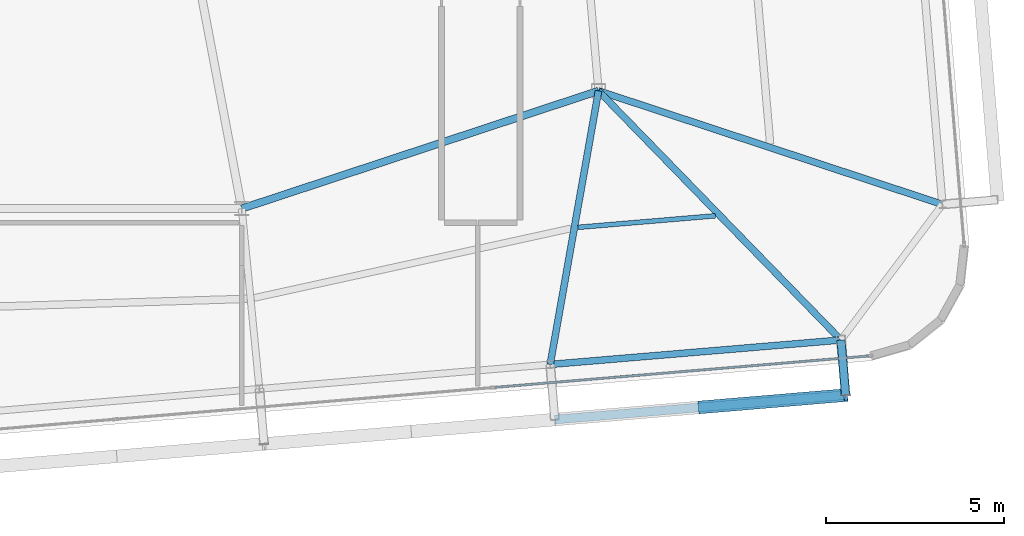
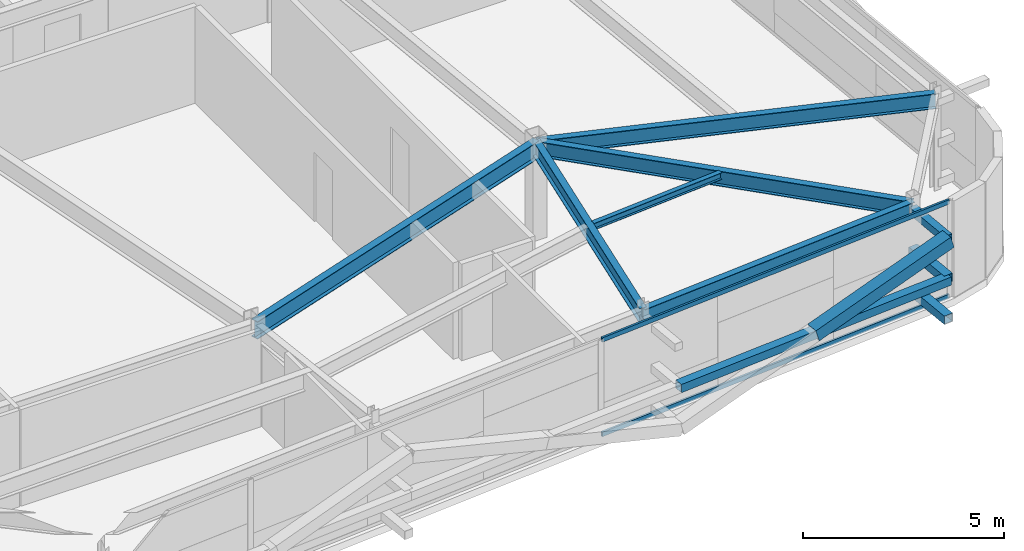
# One storey, part 17 of 39: 7 members, 6 beams, 1 element without a shape of its own.
"""IFC4 building model written with IfcOpenShell, lengths in metres."""

from ifc_helpers import new_model, si_unit, direction, frame, origin, origin_2d, place, context, subcontext, project, spatial, hollow_rectangle, i_section, extrude, source, transform, mapped, material, layer, layer_set, material_profile, profile_set, type_object, element, aggregate, save


model = new_model("IFC4")

# Units and contexts
model_context = context("Model", 3, precision=1e-05, world=origin(), true_north=direction((0.0, 1.0)))
body_context = subcontext(model_context, "Body", "Model", "MODEL_VIEW")
ifc_project = project(units=[si_unit("LENGTHUNIT", "METRE"), si_unit("AREAUNIT", "SQUARE_METRE"), si_unit("VOLUMEUNIT", "CUBIC_METRE"), si_unit("PLANEANGLEUNIT", "RADIAN"), si_unit("MASSUNIT", "GRAM", prefix="KILO")], contexts=[model_context])

# Site, building, storey
site_placement = place(None, origin())
site = spatial("IfcSite", under=ifc_project, at=site_placement, CompositionType="ELEMENT")
building_placement = place(site_placement, origin())
building = spatial("IfcBuilding", under=site, at=building_placement, Name="Taldren Reach Tower", CompositionType="ELEMENT")
storey_placement = place(building_placement, frame((0.0, 0.0, 197.75)))
storey = spatial("IfcBuildingStorey", under=building, at=storey_placement, Name="L60", CompositionType="ELEMENT", Elevation=197.75)

# Beam
ifc_material_1 = material(Name="Steel Gr 350 (350PLUS)", Category="steel")
ifc_material_profile_1 = material_profile(ifc_material_1, i_section(OverallWidth=0.208984375, OverallDepth=0.532958984375, WebThickness=0.01025390625, FlangeThickness=0.015625, at=origin_2d()), Name="530UB92.4")
ifc_profile_set_1 = profile_set([ifc_material_profile_1], Name="Steel Gr 350 (350PLUS)")
beam_type_1 = type_object("IfcBeamType", Name="BM-UB530A", PredefinedType="BEAM", material=ifc_profile_set_1)
shared_shape_1 = source(origin(), body_context, "Body", "SweptSolid", [
    extrude(i_section(OverallWidth=0.208984375, OverallDepth=0.532958984375, WebThickness=0.01025390625, FlangeThickness=0.015625, at=origin_2d()), origin(), (0.0, 0.0, 1.0), 10.530517578125),
])
beam_1_placement = place(storey_placement, frame((42.0, 9.199951171875, 2.66357421875), z_axis=(0.949627269203, 0.313381635689, 0.0), x_axis=(-0.313381635689, 0.949627269203, 0.0)))
element("IfcBeam", 1, at=beam_1_placement, inside=storey, type_object=beam_type_1, Name="Core-spine girder L60-SP12", PredefinedType="BEAM", context=body_context, shape_type="MappedRepresentation", body=[
    mapped(shared_shape_1, transform((0.0, 0.0, 0.0), scale=1.0)),
])

# Members
ifc_material_2 = material(Name="Steel Gr 350 (C350L0)", Category="steel")
ifc_material_profile_2 = material_profile(ifc_material_2, hollow_rectangle(XDim=0.25, YDim=0.25, WallThickness=0.010009765625, at=origin_2d()), Name="250x250x10.0SHS")
ifc_profile_set_2 = profile_set([ifc_material_profile_2], Name="Steel Gr 350 (C350L0)")
member_type_1 = type_object("IfcMemberType", Name="MB-POST250", PredefinedType="POST", material=ifc_profile_set_2)
shared_shape_2 = source(origin(), body_context, "Body", "SweptSolid", [
    extrude(hollow_rectangle(XDim=0.25, YDim=0.25, WallThickness=0.010009765625, at=origin_2d()), origin(), (0.0, 0.0, 1.0), 1.5498046875),
])
for number, where, z_axis, x_axis, name in (
    (2, (58.796142578125, 5.516357421875, 0.219970703125), (0.083801560254, -0.996482462715, 0.0), (0.996482462715, 0.083801560254, 0.0), "Exoskeleton base diaphragm tie strut B4-S6 L60"),
    (3, (58.796142578125, 5.516357421875, 1.43505859375), (0.083801560254, -0.996482462715, 0.0), (0.996482462715, 0.083801560254, 0.0), "Exoskeleton mid-tier diaphragm tie B4-S6 L60"),
):
    element("IfcMember", number, at=place(storey_placement, frame(where, z_axis=z_axis, x_axis=x_axis)), inside=storey, type_object=member_type_1, Name=name, PredefinedType="POST", context=body_context, shape_type="MappedRepresentation", body=[
        mapped(shared_shape_2, transform((0.0, 0.0, 0.0), scale=1.0)),
    ])

# Beams
ifc_material_profile_3 = material_profile(ifc_material_1, i_section(OverallWidth=0.18994140625, OverallDepth=0.4541015625, WebThickness=0.008544921875, FlangeThickness=0.0126953125, at=origin_2d()), Name="460UB67.1")
ifc_profile_set_3 = profile_set([ifc_material_profile_3], Name="Steel Gr 350 (350PLUS)")
beam_type_2 = type_object("IfcBeamType", Name="SP-UB460B", PredefinedType="SPANDREL", material=ifc_profile_set_3)
shared_shape_3 = source(origin(), body_context, "Body", "SweptSolid", [
    extrude(i_section(OverallWidth=0.18994140625, OverallDepth=0.4541015625, WebThickness=0.008544921875, FlangeThickness=0.0126953125, at=origin_2d()), origin(), (0.0, 0.0, 1.0), 8.179931640625),
])
beam_2_placement = place(storey_placement, frame((50.644775390625, 4.83203125, 2.702880859375), z_axis=(0.996494523218, 0.083658025296, 0.0), x_axis=(-0.083658025296, 0.996494523218, 0.0)))
element("IfcBeam", 4, at=beam_2_placement, inside=storey, type_object=beam_type_2, Name="Perimeter spandrel B4 S5-S6 L60", PredefinedType="SPANDREL", context=body_context, shape_type="MappedRepresentation", body=[
    mapped(shared_shape_3, transform((0.0, 0.0, 0.0), scale=1.0)),
])
ifc_material_profile_4 = material_profile(ifc_material_1, i_section(OverallWidth=0.19091796875, OverallDepth=0.4599609375, WebThickness=0.010009765625, FlangeThickness=0.01611328125, at=origin_2d()), Name="460UB82.1")
ifc_profile_set_4 = profile_set([ifc_material_profile_4], Name="Steel Gr 350 (350PLUS)")
beam_type_3 = type_object("IfcBeamType", Name="BM-UB460A", PredefinedType="BEAM", material=ifc_profile_set_4)
shared_shape_4 = source(origin(), body_context, "Body", "SweptSolid", [
    extrude(i_section(OverallWidth=0.19091796875, OverallDepth=0.4599609375, WebThickness=0.010009765625, FlangeThickness=0.01611328125, at=origin_2d()), origin(), (0.0, 0.0, 1.0), 7.786865234375),
])
beam_3_placement = place(storey_placement, frame((52.0, 12.5, 2.699951171875), z_axis=(-0.174041097858, -0.984738389755, 0.0), x_axis=(0.984738389755, -0.174041097858, 0.0)))
element("IfcBeam", 5, at=beam_3_placement, inside=storey, type_object=beam_type_3, Name="Primary floor girder B4-S5 L60", PredefinedType="BEAM", context=body_context, shape_type="MappedRepresentation", body=[
    mapped(shared_shape_4, transform((0.0, 0.0, 0.0), scale=1.0)),
])
shared_shape_5 = source(origin(), body_context, "Body", "SweptSolid", [
    extrude(i_section(OverallWidth=0.19091796875, OverallDepth=0.4599609375, WebThickness=0.010009765625, FlangeThickness=0.01611328125, at=origin_2d()), origin(), (0.0, 0.0, 1.0), 9.74462890625),
])
beam_4_placement = place(storey_placement, frame((52.0, 12.5, 2.699951171875), z_axis=(0.697420698235, -0.716661963323, 0.0), x_axis=(0.716661963323, 0.697420698235, 0.0)))
element("IfcBeam", 6, at=beam_4_placement, inside=storey, type_object=beam_type_3, Name="Primary floor girder B4-S6 L60", PredefinedType="BEAM", context=body_context, shape_type="MappedRepresentation", body=[
    mapped(shared_shape_5, transform((0.0, 0.0, 0.0), scale=1.0)),
])
shared_shape_6 = source(origin(), body_context, "Body", "SweptSolid", [
    extrude(i_section(OverallWidth=0.19091796875, OverallDepth=0.4599609375, WebThickness=0.010009765625, FlangeThickness=0.01611328125, at=origin_2d()), origin(), (0.0, 0.0, 1.0), 10.14990234375),
])
beam_5_placement = place(storey_placement, frame((52.0, 12.5, 2.699951171875), z_axis=(0.949576668396, -0.313534927619, 0.0), x_axis=(0.313534927619, 0.949576668396, 0.0)))
element("IfcBeam", 7, at=beam_5_placement, inside=storey, type_object=beam_type_3, Name="Primary floor girder B4-E1 L60", PredefinedType="BEAM", context=body_context, shape_type="MappedRepresentation", body=[
    mapped(shared_shape_6, transform((0.0, 0.0, 0.0), scale=1.0)),
])
ifc_material_3 = material(Name="Steel Gr 300 (300PLUS, 300 MPa)", Category="steel")
ifc_material_profile_5 = material_profile(ifc_material_3, i_section(OverallWidth=0.134033203125, OverallDepth=0.20703125, WebThickness=0.00634765625, FlangeThickness=0.009521484375, at=origin_2d()), Name="200UB29.8")
ifc_profile_set_5 = profile_set([ifc_material_profile_5], Name="Steel Gr 300 (300PLUS, 300 MPa)")
beam_type_4 = type_object("IfcBeamType", Name="JS-UB200", PredefinedType="JOIST", material=ifc_profile_set_5)
shared_shape_7 = source(origin(), body_context, "Body", "SweptSolid", [
    extrude(i_section(OverallWidth=0.134033203125, OverallDepth=0.20703125, WebThickness=0.00634765625, FlangeThickness=0.009521484375, at=origin_2d()), origin(), (0.0, 0.0, 1.0), 3.86767578125),
])
beam_6_placement = place(storey_placement, frame((51.4208984375, 8.67431640625, 2.826416015625), z_axis=(0.996495950743, 0.083641019557, 0.0), x_axis=(-0.083641019557, 0.996495950743, 0.0)))
element("IfcBeam", 8, at=beam_6_placement, inside=storey, type_object=beam_type_4, Name="Secondary floor joist B4 J5 L60", PredefinedType="JOIST", context=body_context, shape_type="MappedRepresentation", body=[
    mapped(shared_shape_7, transform((0.0, 0.0, 0.0), scale=1.0)),
])

# Members
ifc_material_4 = material(Name="Steel Gr 450 (C450L0)", Category="steel")
ifc_material_profile_6 = material_profile(ifc_material_4, hollow_rectangle(XDim=0.219970703125, YDim=0.219970703125, WallThickness=0.00830078125, at=origin_2d()), Name="220x220x8.2SHS")
ifc_profile_set_6 = profile_set([ifc_material_profile_6], Name="Steel Gr 450 (C450L0)")
member_type_2 = type_object("IfcMemberType", Name="MB-TIE219", PredefinedType="STRUT", material=ifc_profile_set_6)
shared_shape_8 = source(origin(), body_context, "Body", "SweptSolid", [
    extrude(hollow_rectangle(XDim=0.219970703125, YDim=0.219970703125, WallThickness=0.00830078125, at=origin_2d()), origin(), (0.0, 0.0, 1.0), 1.5498046875),
])
member_1_placement = place(storey_placement, frame((58.796142578125, 5.516357421875, 2.64990234375), z_axis=(0.083801560254, -0.996482462715, 0.0), x_axis=(0.996482462715, 0.083801560254, 0.0)))
element("IfcMember", 9, at=member_1_placement, inside=storey, type_object=member_type_2, Name="Exoskeleton diaphragm tie strut B4-S6 L60", PredefinedType="STRUT", context=body_context, shape_type="MappedRepresentation", body=[
    mapped(shared_shape_8, transform((0.0, 0.0, 0.0), scale=1.0)),
])
shared_shape_9 = source(origin(), body_context, "Body", "SweptSolid", [
    extrude(hollow_rectangle(XDim=0.25, YDim=0.25, WallThickness=0.010009765625, at=origin_2d()), origin(), (0.0, 0.0, 1.0), 8.18017578125),
])
member_2_placement = place(storey_placement, frame((50.774658203125, 3.287353515625, 1.43505859375), z_axis=(0.996492034688, 0.083687662192, 0.0), x_axis=(-0.083687662192, 0.996492034688, 0.0)))
element("IfcMember", 10, at=member_2_placement, inside=storey, type_object=member_type_1, Name="Exoskeleton mid-height ring chord B4-S5 L60", PredefinedType="POST", context=body_context, shape_type="MappedRepresentation", body=[
    mapped(shared_shape_9, transform((0.0, 0.0, 0.0), scale=1.0)),
])
ifc_material_profile_7 = material_profile(ifc_material_4, hollow_rectangle(XDim=0.360107421875, YDim=0.360107421875, WallThickness=0.0126953125, at=origin_2d()), Name="360x360x12.7SHS")
ifc_profile_set_7 = profile_set([ifc_material_profile_7], Name="Steel Gr 450 (C450L0)")
member_type_3 = type_object("IfcMemberType", Name="MB-EXO356", PredefinedType="BRACE", material=ifc_profile_set_7)
shared_shape_10 = source(origin(), body_context, "Body", "SweptSolid", [
    extrude(hollow_rectangle(XDim=0.360107421875, YDim=0.360107421875, WallThickness=0.0126953125, at=origin_2d()), origin(), (0.0, 0.0, 1.0), 4.2666015625),
])
member_3_placement = place(storey_placement, frame((54.850341796875, 3.629638671875, 1.43505859375), z_axis=(0.955244723646, 0.080223619417, 0.284730906006), x_axis=(-0.083687662192, 0.996492034688, 0.0)))
element("IfcMember", 11, at=member_3_placement, inside=storey, type_object=member_type_3, Name="Exoskeleton Diagrid Brace B4-S5 L60", PredefinedType="BRACE", context=body_context, shape_type="MappedRepresentation", body=[
    mapped(shared_shape_10, transform((0.0, 0.0, 0.0), scale=1.0)),
])

# Curtain wall, members
ifc_material_5 = material(Name="Aluminium and Low-E Glass Unitised System", Category="aluminium")
ifc_layer = layer(ifc_material_5, 0.159912109375)
ifc_layer_set = layer_set([ifc_layer], Name="Aluminium and Low-E Glass Unitised System")
curtain_wall_type = type_object("IfcCurtainWallType", Name="CW-SYS-5", PredefinedType="NOTDEFINED", material=ifc_layer_set)
curtain_wall_placement = place(storey_placement, origin())
curtain_wall = element("IfcCurtainWall", 12, at=curtain_wall_placement, inside=storey, type_object=curtain_wall_type, Name="Unitised curtain wall CW-L60-S", PredefinedType="NOTDEFINED")
ifc_material_6 = material(Name="Anodised Aluminium 6063-T6", Category="aluminium")
ifc_material_profile_8 = material_profile(ifc_material_6, hollow_rectangle(XDim=0.06005859375, YDim=0.135009765625, WallThickness=0.00341796875, at=origin_2d()), Name="ALU-135x60x3.5RHS")
ifc_profile_set_8 = profile_set([ifc_material_profile_8], Name="Anodised Aluminium 6063-T6")
member_type_4 = type_object("IfcMemberType", Name="CW-TRN-150", PredefinedType="USERDEFINED", material=ifc_profile_set_8)
shared_shape_11 = source(origin(), body_context, "Body", "SweptSolid", [
    extrude(hollow_rectangle(XDim=0.06005859375, YDim=0.135009765625, WallThickness=0.00341796875, at=origin_2d()), origin(), (0.0, 0.0, 1.0), 10.52001953125),
])
member_4_placement = place(storey_placement, frame((49.083251953125, 4.18896484375, 0.030029296875), z_axis=(0.996492256575, 0.08368502008, 0.0), x_axis=(-0.08368502008, 0.996492256575, 0.0)))
member_4 = element("IfcMember", 13, at=member_4_placement, type_object=member_type_4, Name="CW-5 transom 4.1", ObjectType="TRANSOM", PredefinedType="USERDEFINED", context=body_context, shape_type="MappedRepresentation", body=[
    mapped(shared_shape_11, transform((0.0, 0.0, 0.0), scale=1.0)),
])
member_5_placement = place(storey_placement, frame((49.083251953125, 4.18896484375, 2.89990234375), z_axis=(0.996492256575, 0.08368502008, 0.0), x_axis=(-0.08368502008, 0.996492256575, 0.0)))
member_5 = element("IfcMember", 14, at=member_5_placement, type_object=member_type_4, Name="CW-5 transom 4.2", ObjectType="TRANSOM", PredefinedType="USERDEFINED", context=body_context, shape_type="MappedRepresentation", body=[
    mapped(shared_shape_11, transform((0.0, 0.0, 0.0), scale=1.0)),
])
aggregate(curtain_wall, [member_4, member_5])

save(model, "model.ifc")
